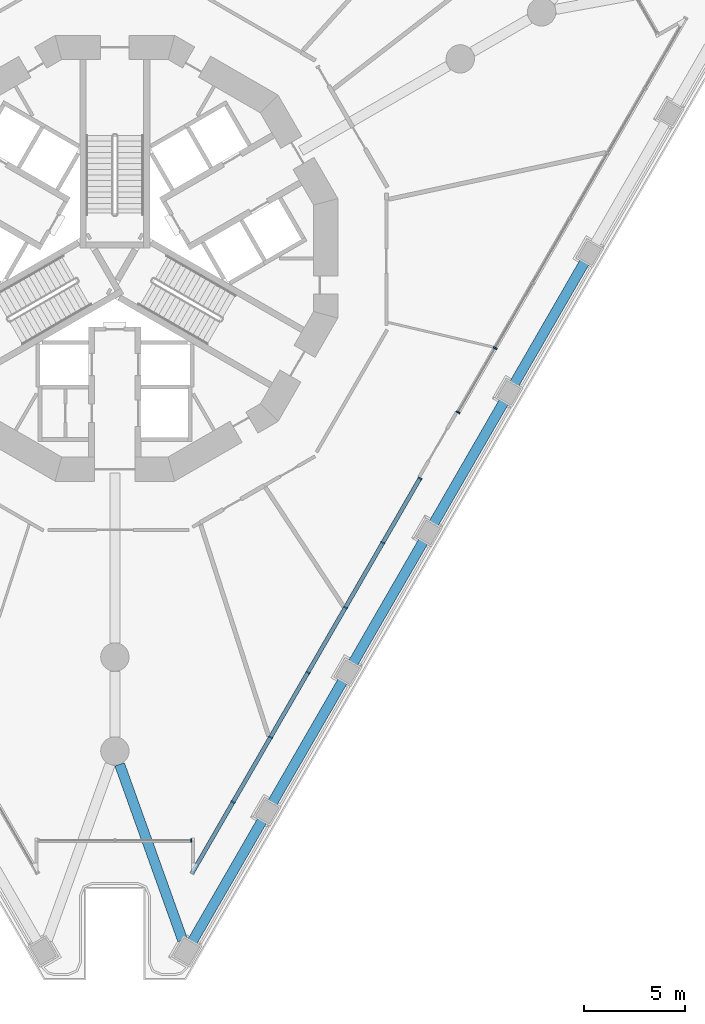
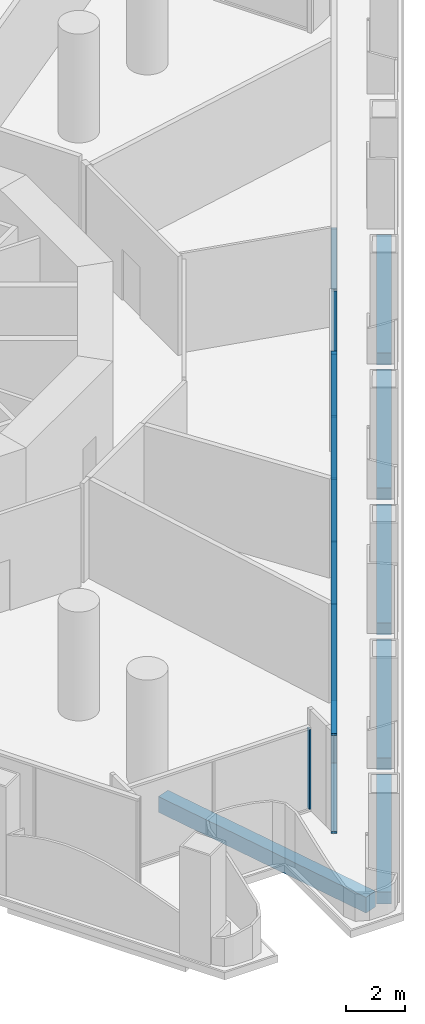
# One storey, part 4 of 23: 11 members, 6 beams, 3 elements without a shape of their own.
"""IFC4 building model written with IfcOpenShell, lengths in metres."""

from ifc_helpers import new_model, si_unit, direction, frame, origin, origin_2d, place, context, subcontext, project, spatial, rectangle, extrude, material, layer, layer_set, material_profile, profile_set, type_object, element, aggregate, save


model = new_model("IFC4")

# Units and contexts
model_context = context("Model", 3, precision=1e-05, world=origin(), true_north=direction((0.0, 1.0)))
body_context = subcontext(model_context, "Body", "Model", "MODEL_VIEW")
ifc_project = project(units=[si_unit("LENGTHUNIT", "METRE"), si_unit("AREAUNIT", "SQUARE_METRE"), si_unit("VOLUMEUNIT", "CUBIC_METRE"), si_unit("PLANEANGLEUNIT", "RADIAN"), si_unit("MASSUNIT", "GRAM", prefix="KILO")], contexts=[model_context])

# Site, building, storey
site_placement = place(None, origin())
site = spatial("IfcSite", under=ifc_project, at=site_placement, CompositionType="ELEMENT")
building_placement = place(site_placement, origin())
building = spatial("IfcBuilding", under=site, at=building_placement, Name="Trine Commons Tower", CompositionType="ELEMENT")
storey_placement = place(building_placement, frame((0.0, 0.0, 18.0)))
storey = spatial("IfcBuildingStorey", under=building, at=storey_placement, Name="L03", CompositionType="ELEMENT", Elevation=18.0)

# Curtain wall, member
ifc_material_1 = material(Name="Corner pocket glazing: anodised aluminium frame with low-emissivity double glazed unit, laminated", Category="aluminium")
ifc_layer_1 = layer(ifc_material_1, 0.179931640625)
ifc_layer_set_1 = layer_set([ifc_layer_1], Name="Corner pocket glazing: anodised aluminium frame with low-emissivity double glazed unit, laminated")
curtain_wall_type_1 = type_object("IfcCurtainWallType", Name="Corner pocket glazing curtain wall CW8", PredefinedType="NOTDEFINED", material=ifc_layer_set_1)
curtain_wall_1_placement = place(storey_placement, origin())
curtain_wall_1 = element("IfcCurtainWall", 1, at=curtain_wall_1_placement, inside=storey, type_object=curtain_wall_type_1, Name="Corner pocket glazing L03 P3.1", PredefinedType="NOTDEFINED")
ifc_material_2 = material(Name="Anodised aluminium, bronze finish", Category="aluminium")
ifc_material_profile_1 = material_profile(ifc_material_2, rectangle(XDim=0.179931640625, YDim=0.06494140625, at=origin_2d()), Name="Mullion 65x180")
ifc_profile_set_1 = profile_set([ifc_material_profile_1], Name="Anodised aluminium, bronze finish")
member_type_1 = type_object("IfcMemberType", Name="Mullion 65x180, Anodised aluminium, bronze finish", PredefinedType="MULLION", material=ifc_profile_set_1)
member_1_placement = place(storey_placement, frame((83.767578125, 33.74072265625, 0.090087890625), z_axis=(0.0, 0.0, 1.0), x_axis=(0.0, -1.0, 0.0)))
member_1 = element("IfcMember", 2, at=member_1_placement, type_object=member_type_1, Name="CW8 mullion 1.1", PredefinedType="MULLION", context=body_context, shape_type="SweptSolid", body=[
    extrude(rectangle(XDim=0.179931640625, YDim=0.06494140625, at=origin_2d()), origin(), (0.0, 0.0, 1.0), 3.2998046875),
])
aggregate(curtain_wall_1, [member_1])

# Curtain wall, members
ifc_material_3 = material(Name="Podium glazing: anodised aluminium frame with low-emissivity double glazed unit", Category="aluminium")
ifc_layer_2 = layer(ifc_material_3, 0.199951171875)
ifc_layer_set_2 = layer_set([ifc_layer_2], Name="Podium glazing: anodised aluminium frame with low-emissivity double glazed unit")
curtain_wall_type_2 = type_object("IfcCurtainWallType", Name="Podium glazing curtain wall CW3", PredefinedType="NOTDEFINED", material=ifc_layer_set_2)
curtain_wall_2_placement = place(storey_placement, origin())
curtain_wall_2 = element("IfcCurtainWall", 3, at=curtain_wall_2_placement, inside=storey, type_object=curtain_wall_type_2, Name="Podium glazing L03 F2.1", PredefinedType="NOTDEFINED")
ifc_material_profile_2 = material_profile(ifc_material_2, rectangle(XDim=0.199951171875, YDim=0.074951171875, at=origin_2d()), Name="Mullion 75x200")
ifc_profile_set_2 = profile_set([ifc_material_profile_2], Name="Anodised aluminium, bronze finish")
member_type_2 = type_object("IfcMemberType", Name="Mullion 75x200, Anodised aluminium, bronze finish", PredefinedType="MULLION", material=ifc_profile_set_2)
member_2_placement = place(storey_placement, frame((98.782470703125, 58.06298828125, 0.10009765625), z_axis=(0.0, 0.0, 1.0), x_axis=(0.866025403784, -0.5, 0.0)))
member_2 = element("IfcMember", 4, at=member_2_placement, type_object=member_type_2, Name="CW3 mullion 6.1", PredefinedType="MULLION", context=body_context, shape_type="SweptSolid", body=[
    extrude(rectangle(XDim=0.199951171875, YDim=0.074951171875, at=origin_2d()), origin(), (0.0, 0.0, 1.0), 3.949951171875),
])
member_3_placement = place(storey_placement, frame((96.95166015625, 54.89208984375, 0.10009765625), z_axis=(0.0, 0.0, 1.0), x_axis=(0.866025403784, -0.5, 0.0)))
member_3 = element("IfcMember", 5, at=member_3_placement, type_object=member_type_2, Name="CW3 mullion 7.1", PredefinedType="MULLION", context=body_context, shape_type="SweptSolid", body=[
    extrude(rectangle(XDim=0.199951171875, YDim=0.074951171875, at=origin_2d()), origin(), (0.0, 0.0, 1.0), 3.949951171875),
])
aggregate(curtain_wall_2, [member_2, member_3])

curtain_wall_3_placement = place(storey_placement, origin())
curtain_wall_3 = element("IfcCurtainWall", 6, at=curtain_wall_3_placement, inside=storey, type_object=curtain_wall_type_2, Name="Podium glazing L03 F2.2", PredefinedType="NOTDEFINED")
member_4_placement = place(storey_placement, frame((95.064697265625, 51.623779296875, 0.10009765625), z_axis=(0.0, 0.0, 1.0), x_axis=(0.866025403784, -0.5, 0.0)))
member_4 = element("IfcMember", 7, at=member_4_placement, type_object=member_type_2, Name="CW3 mullion 1.1", PredefinedType="MULLION", context=body_context, shape_type="SweptSolid", body=[
    extrude(rectangle(XDim=0.199951171875, YDim=0.074951171875, at=origin_2d()), origin(), (0.0, 0.0, 1.0), 3.949951171875),
])
member_5_placement = place(storey_placement, frame((93.234130859375, 48.452880859375, 0.10009765625), z_axis=(0.0, 0.0, 1.0), x_axis=(0.866025403784, -0.5, 0.0)))
member_5 = element("IfcMember", 8, at=member_5_placement, type_object=member_type_2, Name="CW3 mullion 2.1", PredefinedType="MULLION", context=body_context, shape_type="SweptSolid", body=[
    extrude(rectangle(XDim=0.199951171875, YDim=0.074951171875, at=origin_2d()), origin(), (0.0, 0.0, 1.0), 3.949951171875),
])
member_6_placement = place(storey_placement, frame((91.384521484375, 45.24951171875, 0.10009765625), z_axis=(0.0, 0.0, 1.0), x_axis=(0.866025403784, -0.5, 0.0)))
member_6 = element("IfcMember", 9, at=member_6_placement, type_object=member_type_2, Name="CW3 mullion 3.1", PredefinedType="MULLION", context=body_context, shape_type="SweptSolid", body=[
    extrude(rectangle(XDim=0.199951171875, YDim=0.074951171875, at=origin_2d()), origin(), (0.0, 0.0, 1.0), 3.949951171875),
])
member_7_placement = place(storey_placement, frame((89.53515625, 42.046142578125, 0.10009765625), z_axis=(0.0, 0.0, 1.0), x_axis=(0.866025403784, -0.5, 0.0)))
member_7 = element("IfcMember", 10, at=member_7_placement, type_object=member_type_2, Name="CW3 mullion 4.1", PredefinedType="MULLION", context=body_context, shape_type="SweptSolid", body=[
    extrude(rectangle(XDim=0.199951171875, YDim=0.074951171875, at=origin_2d()), origin(), (0.0, 0.0, 1.0), 3.949951171875),
])
member_8_placement = place(storey_placement, frame((87.685791015625, 38.843017578125, 0.10009765625), z_axis=(0.0, 0.0, 1.0), x_axis=(0.866025403784, -0.5, 0.0)))
member_8 = element("IfcMember", 11, at=member_8_placement, type_object=member_type_2, Name="CW3 mullion 5.1", PredefinedType="MULLION", context=body_context, shape_type="SweptSolid", body=[
    extrude(rectangle(XDim=0.199951171875, YDim=0.074951171875, at=origin_2d()), origin(), (0.0, 0.0, 1.0), 3.949951171875),
])
member_9_placement = place(storey_placement, frame((85.836181640625, 35.639404296875, 0.10009765625), z_axis=(0.0, 0.0, 1.0), x_axis=(0.866025403784, -0.5, 0.0)))
member_9 = element("IfcMember", 12, at=member_9_placement, type_object=member_type_2, Name="CW3 mullion 6.1", PredefinedType="MULLION", context=body_context, shape_type="SweptSolid", body=[
    extrude(rectangle(XDim=0.199951171875, YDim=0.074951171875, at=origin_2d()), origin(), (0.0, 0.0, 1.0), 3.949951171875),
])

# Beams
ifc_material_4 = material(Name="Concrete C50/60", Category="concrete")
ifc_material_profile_3 = material_profile(ifc_material_4, rectangle(XDim=0.5, YDim=0.5, at=origin_2d()), Name="RC 500x500")
ifc_profile_set_3 = profile_set([ifc_material_profile_3], Name="Concrete C50/60")
beam_type_1 = type_object("IfcBeamType", Name="RC beam 500x500, C50/60", PredefinedType="BEAM", material=ifc_profile_set_3)
for number, where, z_axis, x_axis, name in (
    (13, (103.21533203125, 62.341064453125, -0.60009765625), (-0.499991645397, -0.866030227263, 0.0), (0.866030227263, -0.499991645397, 0.0), "Beam EB1-17 L03"),
    (14, (99.233642578125, 55.444580078125, -0.60009765625), (-0.499991645397, -0.866030227263, 0.0), (0.866030227263, -0.499991645397, 0.0), "Beam EB1-18 L03"),
    (15, (95.251953125, 48.548095703125, -0.60009765625), (-0.499991645397, -0.866030227263, 0.0), (0.866030227263, -0.499991645397, 0.0), "Beam EB1-19 L03"),
):
    element("IfcBeam", number, at=place(storey_placement, frame(where, z_axis=z_axis, x_axis=x_axis)), inside=storey, type_object=beam_type_1, Name=name, PredefinedType="BEAM", context=body_context, shape_type="SweptSolid", body=[
        extrude(rectangle(XDim=0.5, YDim=0.5, at=origin_2d()), origin(), (0.0, 0.0, 1.0), 7.01318359375),
    ])
beam_1_placement = place(storey_placement, frame((91.2705078125, 41.651611328125, -0.60009765625), z_axis=(-0.500017753321, -0.866015153657, 0.0), x_axis=(0.866015153657, -0.500017753321, 0.0)))
element("IfcBeam", 16, at=beam_1_placement, inside=storey, type_object=beam_type_1, Name="Beam EB1-20 L03", PredefinedType="BEAM", context=body_context, shape_type="SweptSolid", body=[
    extrude(rectangle(XDim=0.5, YDim=0.5, at=origin_2d()), origin(), (0.0, 0.0, 1.0), 7.013427734375),
])
beam_2_placement = place(storey_placement, frame((87.288818359375, 34.755126953125, -0.60009765625), z_axis=(-0.500022902661, -0.866012180523, 0.0), x_axis=(0.866012180523, -0.500022902661, 0.0)))
element("IfcBeam", 17, at=beam_2_placement, inside=storey, type_object=beam_type_1, Name="Beam EB1-21 L03", PredefinedType="BEAM", context=body_context, shape_type="SweptSolid", body=[
    extrude(rectangle(XDim=0.5, YDim=0.5, at=origin_2d()), origin(), (0.0, 0.0, 1.0), 6.963623046875),
])
ifc_material_profile_4 = material_profile(ifc_material_4, rectangle(XDim=0.5, YDim=0.64990234375, at=origin_2d()), Name="RC 500x650")
ifc_profile_set_4 = profile_set([ifc_material_profile_4], Name="Concrete C50/60")
beam_type_2 = type_object("IfcBeamType", Name="RC beam 500x650, C50/60", PredefinedType="BEAM", material=ifc_profile_set_4)
beam_3_placement = place(storey_placement, frame((83.345458984375, 28.8251953125, -0.675048828125), z_axis=(-0.337305880684, 0.941395104542, 0.0), x_axis=(-0.941395104542, -0.337305880684, 0.0)))
element("IfcBeam", 18, at=beam_3_placement, inside=storey, type_object=beam_type_2, Name="Beam CB1-05 L03", PredefinedType="BEAM", context=body_context, shape_type="SweptSolid", body=[
    extrude(rectangle(XDim=0.5, YDim=0.64990234375, at=origin_2d()), origin(), (0.0, 0.0, 1.0), 9.218994140625),
])

# Member
ifc_material_profile_5 = material_profile(ifc_material_2, rectangle(XDim=0.199951171875, YDim=0.10009765625, at=origin_2d()), Name="Transom 100x200")
ifc_profile_set_5 = profile_set([ifc_material_profile_5], Name="Anodised aluminium, bronze finish")
member_type_3 = type_object("IfcMemberType", Name="Transom 100x200, Anodised aluminium, bronze finish", PredefinedType="USERDEFINED", material=ifc_profile_set_5)
member_10_placement = place(storey_placement, frame((95.08349609375, 51.65625, 0.050048828125), z_axis=(-0.499996215711, -0.866027588634, 0.0), x_axis=(0.866027588634, -0.499996215711, 0.0)))
member_10 = element("IfcMember", 19, at=member_10_placement, type_object=member_type_3, Name="CW3 transom T00", ObjectType="TRANSOM", PredefinedType="USERDEFINED", context=body_context, shape_type="SweptSolid", body=[
    extrude(rectangle(XDim=0.199951171875, YDim=0.10009765625, at=origin_2d()), origin(), (0.0, 0.0, 1.0), 22.567138671875),
])

member_11_placement = place(storey_placement, frame((95.08349609375, 51.65625, 4.10009765625), z_axis=(-0.499996215711, -0.866027588634, 0.0), x_axis=(0.866027588634, -0.499996215711, 0.0)))
member_11 = element("IfcMember", 20, at=member_11_placement, type_object=member_type_3, Name="CW3 transom TH00", ObjectType="TRANSOM", PredefinedType="USERDEFINED", context=body_context, shape_type="SweptSolid", body=[
    extrude(rectangle(XDim=0.199951171875, YDim=0.10009765625, at=origin_2d()), origin(), (0.0, 0.0, 1.0), 22.567138671875),
])

aggregate(curtain_wall_3, [member_10, member_11, member_4, member_5, member_6, member_7, member_8, member_9])

save(model, "model.ifc")
